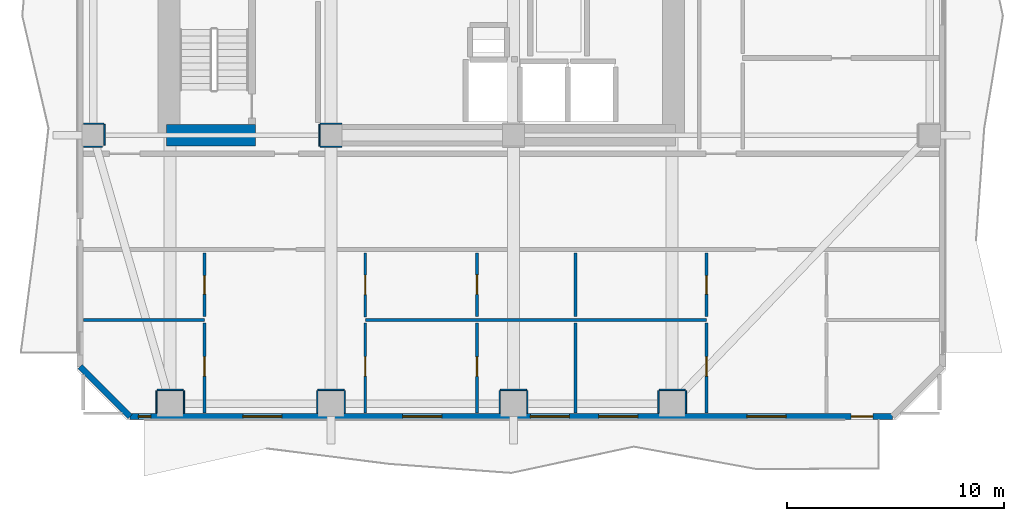
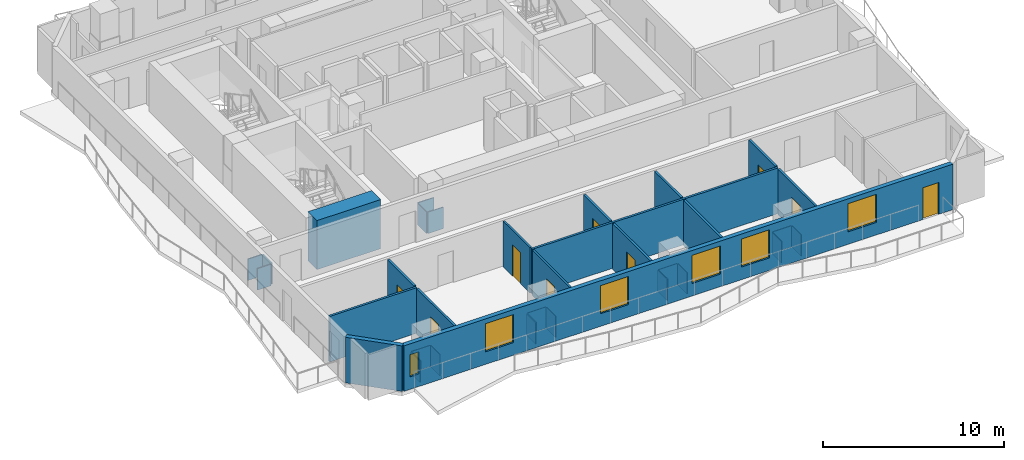
# One storey, part 2 of 9: 33 walls, 9 doors, 6 windows, 15 openings.
"""IFC4 building model written with IfcOpenShell, lengths in metres."""

import ifcopenshell
import ifcopenshell.guid

model = None  # the IFC model being written
_history = None  # IfcOwnerHistory: only IFC2X3 demands one
_inside = {}  # id of a spatial element -> (the spatial element, [elements in it])
_under = {}  # id of a project, library or spatial element -> (it, [spatial elements below it])
_declared = {}  # id of a project -> (the project, [libraries it declares])
_typed = {}  # id of a type object -> (the type object, [elements of that type])
_made_of = {}  # id of a material, layer set ... -> (it, [elements and type objects made of it])


def new_model(schema):
    """Start an empty IFC model of exactly this schema.

    Asked for "IFC4X3", IfcOpenShell would pick the latest addendum, in which some entities
    have other attributes; the version numbers below select the first issue.
    IFC2X3 requires an IfcOwnerHistory on every rooted entity: one is made here for all.
    """
    global model, _history
    if schema == "IFC4X3":
        model = ifcopenshell.file(schema_version=(4, 3, 0, 0))
    else:
        model = ifcopenshell.file(schema=schema)
    _inside.clear()
    _under.clear()
    _declared.clear()
    _typed.clear()
    _made_of.clear()
    _history = None
    if model.schema == "IFC2X3":
        org = make("IfcOrganization", Name="unknown")
        user = make(
            "IfcPersonAndOrganization",
            ThePerson=make("IfcPerson", FamilyName="unknown"),
            TheOrganization=org,
        )
        app = make(
            "IfcApplication",
            ApplicationDeveloper=org,
            Version="unknown",
            ApplicationFullName="unknown",
            ApplicationIdentifier="unknown",
        )
        _history = make(
            "IfcOwnerHistory",
            OwningUser=user,
            OwningApplication=app,
            ChangeAction="ADDED",
            CreationDate=0,
        )
    return model


def make(cls, **values):
    """One entity of the class cls with the attributes given. An attribute that is None is left unset."""
    return model.create_entity(
        cls, **{name: value for name, value in values.items() if value is not None}
    )


def rooted(cls, **values):
    """An entity with a GlobalId (a new one), such as an element, a storey or a relation."""
    return make(cls, GlobalId=ifcopenshell.guid.new(), OwnerHistory=_history, **values)


def si_unit(unit_type, name, prefix=None):
    """IfcSIUnit, for example si_unit("LENGTHUNIT", "METRE", prefix="MILLI")."""
    return make("IfcSIUnit", UnitType=unit_type, Prefix=prefix, Name=name)


def assignment(units):
    """IfcUnitAssignment: the units of a project."""
    return None if units is None else make("IfcUnitAssignment", Units=units)


def point(xyz):
    """IfcCartesianPoint."""
    return None if xyz is None else make("IfcCartesianPoint", Coordinates=xyz)


def direction(xyz):
    """IfcDirection."""
    return None if xyz is None else make("IfcDirection", DirectionRatios=xyz)


def frame(location, z_axis=None, x_axis=None):
    """IfcAxis2Placement3D, a coordinate frame: its origin and axes. An axis left out is left unset."""
    return make(
        "IfcAxis2Placement3D",
        Location=point(location),
        Axis=direction(z_axis),
        RefDirection=direction(x_axis),
    )


def frame_2d(location, x_axis=None):
    """IfcAxis2Placement2D, a coordinate frame in the plane: its origin and x axis."""
    return make(
        "IfcAxis2Placement2D", Location=point(location), RefDirection=direction(x_axis)
    )


def origin():
    """The frame at (0, 0, 0) with its axes left unset."""
    return frame((0.0, 0.0, 0.0))


def place(relative_to, where):
    """IfcLocalPlacement: puts the frame where relative to a parent placement (None: the world)."""
    return make(
        "IfcLocalPlacement", PlacementRelTo=relative_to, RelativePlacement=where
    )


def context(
    kind, dimensions, precision=None, world=None, true_north=None, identifier=None
):
    """IfcGeometricRepresentationContext, for example the 3D "Model" context."""
    return make(
        "IfcGeometricRepresentationContext",
        ContextIdentifier=identifier,
        ContextType=kind,
        CoordinateSpaceDimension=dimensions,
        Precision=precision,
        WorldCoordinateSystem=world,
        TrueNorth=true_north,
    )


def subcontext(parent, identifier, kind, view, scale=None):
    """IfcGeometricRepresentationSubContext, for example "Body" below "Model"."""
    return make(
        "IfcGeometricRepresentationSubContext",
        ContextIdentifier=identifier,
        ContextType=kind,
        ParentContext=parent,
        TargetScale=scale,
        TargetView=view,
    )


def project(units=None, contexts=None):
    """IfcProject with its units and contexts."""
    return rooted(
        "IfcProject",
        Name="project",
        RepresentationContexts=contexts,
        UnitsInContext=assignment(units),
    )


def spatial(cls, under=None, at=None, **own):
    """A site, building, storey or space (cls), placed at a placement, below another one or the project."""
    s = rooted(cls, ObjectPlacement=at, **own)
    if under is not None:
        _under.setdefault(under.id(), (under, []))[1].append(s)
    return s


def profile(cls, at=None, kind="AREA", **sizes):
    """A parametric profile (cls). Its sizes go by their IFC names, for example OverallWidth=200.0."""
    return make(cls, ProfileType=kind, Position=at, **sizes)


def rectangle(**sizes):
    """IfcRectangleProfileDef."""
    return profile("IfcRectangleProfileDef", **sizes)


def extrude(swept, where, along, depth):
    """IfcExtrudedAreaSolid: the profile swept, set in the frame where, extruded along a direction by depth."""
    return make(
        "IfcExtrudedAreaSolid",
        SweptArea=swept,
        Position=where,
        ExtrudedDirection=direction(along),
        Depth=depth,
    )


def shape(context_of_items, identifier, shape_type, items):
    """IfcShapeRepresentation: the items that make up one representation, for example the "Body"."""
    return make(
        "IfcShapeRepresentation",
        ContextOfItems=context_of_items,
        RepresentationIdentifier=identifier,
        RepresentationType=shape_type,
        Items=items,
    )


def material(Name=None, Category=None):
    """IfcMaterial."""
    return make("IfcMaterial", Name=Name, Category=Category)


def layer(
    of_material, thickness, ventilated=None, Name=None, Category=None, Priority=None
):
    """IfcMaterialLayer: one layer of a wall or slab, of a material (None: an air gap)."""
    return make(
        "IfcMaterialLayer",
        Material=of_material,
        LayerThickness=thickness,
        IsVentilated=ventilated,
        Name=Name,
        Category=Category,
        Priority=Priority,
    )


def layer_set(layers, Name=None):
    """IfcMaterialLayerSet."""
    return make("IfcMaterialLayerSet", MaterialLayers=layers, LayerSetName=Name)


def made_of(thing, what):
    """Note that an element or type object is made of a material, layer set ...; save() writes the relation."""
    if what is not None:
        _made_of.setdefault(what.id(), (what, []))[1].append(thing)
    return thing


def type_object(cls, material=None, **own):
    """A type object (cls), such as IfcWallType, which elements share."""
    return made_of(rooted(cls, **own), material)


def element(
    cls,
    number,
    at=None,
    inside=None,
    cuts=None,
    type_object=None,
    material=None,
    context=None,
    identifier="Body",
    shape_type=None,
    held_by="IfcProductDefinitionShape",
    body=None,
    shapes=None,
    **own,
):
    """One element of the class cls, such as IfcWall. Its Tag is "e" and its number.

    at: its placement. inside: the storey or other place that contains it. cuts: it is an
    opening in that element (IfcRelVoidsElement). A single representation is given by context,
    identifier, shape_type and body (its items); several are given by shapes. held_by: the class
    of the entity that holds the representations. save() writes the other relations.
    """
    e = rooted(cls, Tag="e%d" % number, ObjectPlacement=at, **own)
    if body is not None:
        shapes = [shape(context, identifier, shape_type, body)]
    if shapes is not None:
        e.Representation = make(held_by, Representations=shapes)
    if inside is not None:
        _inside.setdefault(inside.id(), (inside, []))[1].append(e)
    if cuts is not None:
        rooted(
            "IfcRelVoidsElement", RelatingBuildingElement=cuts, RelatedOpeningElement=e
        )
    if type_object is not None:
        _typed.setdefault(type_object.id(), (type_object, []))[1].append(e)
    return made_of(e, material)


def fill(opening, filler):
    """IfcRelFillsElement: the door or window that sits in an opening."""
    return rooted(
        "IfcRelFillsElement",
        RelatingOpeningElement=opening,
        RelatedBuildingElement=filler,
    )


def aggregate(whole, parts):
    """IfcRelAggregates: a whole, such as a stair, and the parts it consists of."""
    return rooted("IfcRelAggregates", RelatingObject=whole, RelatedObjects=parts)


def save(model, path):
    """Write the relations noted so far, then the file.

    IfcRelAggregates (storeys below a building ...), IfcRelContainedInSpatialStructure (elements
    in a storey), IfcRelDefinesByType, IfcRelAssociatesMaterial and IfcRelDeclares: one each for
    every whole, place, type object, material and project.
    """
    for whole, parts in _under.values():
        aggregate(whole, parts)
    for where, things in _inside.values():
        rooted(
            "IfcRelContainedInSpatialStructure",
            RelatedElements=things,
            RelatingStructure=where,
        )
    for kind, things in _typed.values():
        rooted("IfcRelDefinesByType", RelatedObjects=things, RelatingType=kind)
    for what, things in _made_of.values():
        rooted("IfcRelAssociatesMaterial", RelatedObjects=things, RelatingMaterial=what)
    for by, libraries in _declared.values():
        rooted("IfcRelDeclares", RelatingContext=by, RelatedDefinitions=libraries)
    model.write(path)


model = new_model("IFC4")

# Units and contexts
model_context = context("Model", 3, precision=1e-05, world=origin(), true_north=direction((0.0, 1.0)))
body_context = subcontext(model_context, "Body", "Model", "MODEL_VIEW")
ifc_project = project(units=[si_unit("LENGTHUNIT", "METRE"), si_unit("AREAUNIT", "SQUARE_METRE"), si_unit("VOLUMEUNIT", "CUBIC_METRE"), si_unit("PLANEANGLEUNIT", "RADIAN"), si_unit("MASSUNIT", "GRAM", prefix="KILO")], contexts=[model_context])

# Site, building, storey
site_placement = place(None, origin())
site = spatial("IfcSite", under=ifc_project, at=site_placement, CompositionType="ELEMENT")
building_placement = place(site_placement, origin())
building = spatial("IfcBuilding", under=site, at=building_placement, Name="Solanera Arch Residences", CompositionType="ELEMENT")
storey_placement = place(building_placement, frame((0.0, 0.0, 129.320068359375)))
storey = spatial("IfcBuildingStorey", under=building, at=storey_placement, Name="L37", CompositionType="ELEMENT", Elevation=129.320068359375)

# Walls
ifc_material_1 = material(Name="Fire-Rated Gypsum Stud Partition", Category="gypsum")
ifc_layer_1 = layer(ifc_material_1, 0.06005859375)
ifc_layer_set_1 = layer_set([ifc_layer_1], Name="Fire-Rated Gypsum Stud Partition")
wall_type_1 = type_object("IfcWallType", Name="Column Acoustic Furring Wall 60", PredefinedType="PARTITIONING", material=ifc_layer_set_1)
for number, where, z_axis, x_axis, name in (
    (1, (20.300048828125, 21.468017578125, 0.0), (0.0, 0.0, 1.0), (1.0, 0.0, 0.0), "L37 Column Furring 1S"),
    (2, (20.300048828125, 22.531982421875, 0.0), (0.0, 0.0, 1.0), (1.0, 0.0, 0.0), "L37 Column Furring 1N"),
    (3, (20.26806640625, 21.5, 0.0), (0.0, 0.0, 1.0), (0.0, 1.0, 0.0), "L37 Column Furring 1W"),
):
    element("IfcWall", number, at=place(storey_placement, frame(where, z_axis=z_axis, x_axis=x_axis)), inside=storey, type_object=wall_type_1, Name=name, PredefinedType="PARTITIONING", context=body_context, shape_type="SweptSolid", body=[
        extrude(rectangle(XDim=1.0, YDim=0.06005859375, at=frame_2d((0.5, 0.0))), origin(), (0.0, 0.0, 1.0), 1.449951171875),
    ])
wall_1_placement = place(storey_placement, frame((12.800048828125, 10.281982421875, 0.0), z_axis=(0.0, 0.0, 1.0), x_axis=(1.0, 0.0, 0.0)))
element("IfcWall", 4, at=wall_1_placement, inside=storey, type_object=wall_type_1, Name="L37 Column Furring 9N", PredefinedType="PARTITIONING", context=body_context, shape_type="SweptSolid", body=[
    extrude(rectangle(XDim=1.199951171875, YDim=0.06005859375, at=frame_2d((0.60009765625, 0.0))), origin(), (0.0, 0.0, 1.0), 1.449951171875),
])
for number, where, z_axis, x_axis, name in (
    (5, (12.76806640625, 9.2099609375, 0.0), (0.0, 0.0, 1.0), (0.0, 1.0, 0.0), "L37 Column Furring 9W"),
    (6, (14.031982421875, 9.2099609375, 0.0), (0.0, 0.0, 1.0), (0.0, 1.0, 0.0), "L37 Column Furring 9E"),
):
    element("IfcWall", number, at=place(storey_placement, frame(where, z_axis=z_axis, x_axis=x_axis)), inside=storey, type_object=wall_type_1, Name=name, PredefinedType="PARTITIONING", context=body_context, shape_type="SweptSolid", body=[
        extrude(rectangle(XDim=1.0400390625, YDim=0.06005859375, at=frame_2d((0.52001953125, 0.0))), origin(), (0.0, 0.0, 1.0), 1.449951171875),
    ])
wall_2_placement = place(storey_placement, frame((20.199951171875, 10.281982421875, 0.0), z_axis=(0.0, 0.0, 1.0), x_axis=(1.0, 0.0, 0.0)))
element("IfcWall", 7, at=wall_2_placement, inside=storey, type_object=wall_type_1, Name="L37 Column Furring 11N", PredefinedType="PARTITIONING", context=body_context, shape_type="SweptSolid", body=[
    extrude(rectangle(XDim=1.199951171875, YDim=0.06005859375, at=frame_2d((0.60009765625, 0.0))), origin(), (0.0, 0.0, 1.0), 1.449951171875),
])
for number, where, z_axis, x_axis, name in (
    (8, (20.16796875, 9.2099609375, 0.0), (0.0, 0.0, 1.0), (0.0, 1.0, 0.0), "L37 Column Furring 11W"),
    (9, (21.431884765625, 9.2099609375, 0.0), (0.0, 0.0, 1.0), (0.0, 1.0, 0.0), "L37 Column Furring 11E"),
):
    element("IfcWall", number, at=place(storey_placement, frame(where, z_axis=z_axis, x_axis=x_axis)), inside=storey, type_object=wall_type_1, Name=name, PredefinedType="PARTITIONING", context=body_context, shape_type="SweptSolid", body=[
        extrude(rectangle(XDim=1.0400390625, YDim=0.06005859375, at=frame_2d((0.52001953125, 0.0))), origin(), (0.0, 0.0, 1.0), 1.449951171875),
    ])
wall_3_placement = place(storey_placement, frame((28.60009765625, 10.281982421875, 0.0), z_axis=(0.0, 0.0, 1.0), x_axis=(1.0, 0.0, 0.0)))
element("IfcWall", 10, at=wall_3_placement, inside=storey, type_object=wall_type_1, Name="L37 Column Furring 13N", PredefinedType="PARTITIONING", context=body_context, shape_type="SweptSolid", body=[
    extrude(rectangle(XDim=1.199951171875, YDim=0.06005859375, at=frame_2d((0.60009765625, 0.0))), origin(), (0.0, 0.0, 1.0), 1.449951171875),
])
for number, where, z_axis, x_axis, name in (
    (11, (28.568115234375, 9.2099609375, 0.0), (0.0, 0.0, 1.0), (0.0, 1.0, 0.0), "L37 Column Furring 13W"),
    (12, (29.83203125, 9.2099609375, 0.0), (0.0, 0.0, 1.0), (0.0, 1.0, 0.0), "L37 Column Furring 13E"),
):
    element("IfcWall", number, at=place(storey_placement, frame(where, z_axis=z_axis, x_axis=x_axis)), inside=storey, type_object=wall_type_1, Name=name, PredefinedType="PARTITIONING", context=body_context, shape_type="SweptSolid", body=[
        extrude(rectangle(XDim=1.0400390625, YDim=0.06005859375, at=frame_2d((0.52001953125, 0.0))), origin(), (0.0, 0.0, 1.0), 1.449951171875),
    ])
wall_4_placement = place(storey_placement, frame((35.89990234375, 10.281982421875, 0.0), z_axis=(0.0, 0.0, 1.0), x_axis=(1.0, 0.0, 0.0)))
element("IfcWall", 13, at=wall_4_placement, inside=storey, type_object=wall_type_1, Name="L37 Column Furring 15N", PredefinedType="PARTITIONING", context=body_context, shape_type="SweptSolid", body=[
    extrude(rectangle(XDim=1.2001953125, YDim=0.06005859375, at=frame_2d((0.60009765625, 0.0))), origin(), (0.0, 0.0, 1.0), 1.449951171875),
])
for number, where, z_axis, x_axis, name in (
    (14, (35.867919921875, 9.2099609375, 0.0), (0.0, 0.0, 1.0), (0.0, 1.0, 0.0), "L37 Column Furring 15W"),
    (15, (37.132080078125, 9.2099609375, 0.0), (0.0, 0.0, 1.0), (0.0, 1.0, 0.0), "L37 Column Furring 15E"),
):
    element("IfcWall", number, at=place(storey_placement, frame(where, z_axis=z_axis, x_axis=x_axis)), inside=storey, type_object=wall_type_1, Name=name, PredefinedType="PARTITIONING", context=body_context, shape_type="SweptSolid", body=[
        extrude(rectangle(XDim=1.0400390625, YDim=0.06005859375, at=frame_2d((0.52001953125, 0.0))), origin(), (0.0, 0.0, 1.0), 1.449951171875),
    ])
wall_5_placement = place(storey_placement, frame((9.409912109375, 21.468017578125, 0.0), z_axis=(0.0, 0.0, 1.0), x_axis=(1.0, 0.0, 0.0)))
element("IfcWall", 16, at=wall_5_placement, inside=storey, type_object=wall_type_1, Name="L37 Column Furring 17S", PredefinedType="PARTITIONING", context=body_context, shape_type="SweptSolid", body=[
    extrude(rectangle(XDim=0.87109375, YDim=0.06005859375, at=frame_2d((0.435546875, 0.0))), origin(), (0.0, 0.0, 1.0), 1.449951171875),
])
wall_6_placement = place(storey_placement, frame((9.409912109375, 22.531982421875, 0.0), z_axis=(0.0, 0.0, 1.0), x_axis=(1.0, 0.0, 0.0)))
element("IfcWall", 17, at=wall_6_placement, inside=storey, type_object=wall_type_1, Name="L37 Column Furring 17N", PredefinedType="PARTITIONING", context=body_context, shape_type="SweptSolid", body=[
    extrude(rectangle(XDim=0.940185546875, YDim=0.06005859375, at=frame_2d((0.47021484375, 0.0))), origin(), (0.0, 0.0, 1.0), 1.449951171875),
])
wall_7_placement = place(storey_placement, frame((10.382080078125, 21.5439453125, 0.0), z_axis=(0.0, 0.0, 1.0), x_axis=(0.0, 1.0, 0.0)))
element("IfcWall", 18, at=wall_7_placement, inside=storey, type_object=wall_type_1, Name="L37 Column Furring 17E", PredefinedType="PARTITIONING", context=body_context, shape_type="SweptSolid", body=[
    extrude(rectangle(XDim=0.9560546875, YDim=0.06005859375, at=frame_2d((0.47802734375, 0.0))), origin(), (0.0, 0.0, 1.0), 1.449951171875),
])
ifc_material_2 = material(Name="Concrete C55/67 (f'c = 60 MPa)", Category="concrete")
ifc_layer_2 = layer(ifc_material_2, 1.0)
ifc_layer_set_2 = layer_set([ifc_layer_2], Name="Concrete C55/67 (f'c = 60 MPa)")
wall_type_2 = type_object("IfcWallType", Name="Core Shear Wall CW-1000", PredefinedType="SHEAR", material=ifc_layer_set_2)
wall_8_placement = place(storey_placement, frame((13.239990234375, 22.0, 0.0), z_axis=(0.0, 0.0, 1.0), x_axis=(1.0, 0.0, 0.0)))
element("IfcWall", 19, at=wall_8_placement, inside=storey, type_object=wall_type_2, Name="L37 South-West Core Shear Wall", PredefinedType="SHEAR", context=body_context, shape_type="SweptSolid", body=[
    extrude(rectangle(XDim=4.080078125, YDim=1.0, at=frame_2d((2.0400390625, 0.0))), origin(), (0.0, 0.0, 1.0), 3.31982421875),
])

# Wall, openings, door, windows
ifc_material_3 = material(Name="Precast Concrete C35/45", Category="concrete")
ifc_layer_3 = layer(ifc_material_3, 0.280029296875)
ifc_layer_set_3 = layer_set([ifc_layer_3], Name="Precast Concrete C35/45")
wall_type_3 = type_object("IfcWallType", Name="Exterior Wall Precast Masonry-Frame 280", PredefinedType="STANDARD", material=ifc_layer_set_3)
wall_9_placement = place(storey_placement, frame((46.64501953125, 9.054931640625, 0.0), z_axis=(0.0, 0.0, 1.0), x_axis=(-1.0, 0.0, 0.0)))
wall_9 = element("IfcWall", 20, at=wall_9_placement, inside=storey, type_object=wall_type_3, Name="L37 Tower Exterior Precast Masonry-Frame Wall S", PredefinedType="STANDARD", context=body_context, shape_type="SweptSolid", body=[
    extrude(rectangle(XDim=35.090087890625, YDim=0.280029296875, at=frame_2d((17.544921875, 0.0))), origin(), (0.0, 0.0, 1.0), 3.079833984375),
])
opening_1_placement = place(wall_9_placement, frame((0.904052734375, 0.0, 0.0)))
opening_1 = element("IfcOpeningElement", 21, at=opening_1_placement, cuts=wall_9, Name="Opening DB-01", PredefinedType="OPENING", context=body_context, shape_type="SweptSolid", body=[
    extrude(rectangle(XDim=1.0, YDim=2.14990234375, at=frame_2d((0.5, 1.074951171875))), frame((0.0, 0.14990234375, 0.0), z_axis=(0.0, -1.0, 0.0), x_axis=(1.0, 0.0, 0.0)), (0.0, 0.0, 1.0), 0.3),
])
opening_2_placement = place(wall_9_placement, frame((28.10498046875, 0.0, 0.85009765625)))
opening_2 = element("IfcOpeningElement", 22, at=opening_2_placement, cuts=wall_9, Name="Opening W-03", PredefinedType="OPENING", context=body_context, shape_type="SweptSolid", body=[
    extrude(rectangle(XDim=1.800048828125, YDim=1.89990234375, at=frame_2d((0.89990234375, 0.949951171875))), frame((0.0, 0.14990234375, 0.0), z_axis=(0.0, -1.0, 0.0), x_axis=(1.0, 0.0, 0.0)), (0.0, 0.0, 1.0), 0.3),
])
opening_3_placement = place(wall_9_placement, frame((34.133056640625, 0.0, 0.85009765625)))
opening_3 = element("IfcOpeningElement", 23, at=opening_3_placement, cuts=wall_9, Name="Opening W-14", PredefinedType="OPENING", context=body_context, shape_type="SweptSolid", body=[
    extrude(rectangle(XDim=0.580078125, YDim=1.5, at=frame_2d((0.2900390625, 0.75))), frame((0.0, 0.14990234375, 0.0), z_axis=(0.0, -1.0, 0.0), x_axis=(1.0, 0.0, 0.0)), (0.0, 0.0, 1.0), 0.3),
])
opening_4_placement = place(wall_9_placement, frame((20.7451171875, 0.0, 0.85009765625)))
opening_4 = element("IfcOpeningElement", 24, at=opening_4_placement, cuts=wall_9, Name="Opening W-03", PredefinedType="OPENING", context=body_context, shape_type="SweptSolid", body=[
    extrude(rectangle(XDim=1.800048828125, YDim=1.89990234375, at=frame_2d((0.89990234375, 0.949951171875))), frame((0.0, 0.14990234375, 0.0), z_axis=(0.0, -1.0, 0.0), x_axis=(1.0, 0.0, 0.0)), (0.0, 0.0, 1.0), 0.3),
])
opening_5_placement = place(wall_9_placement, frame((14.873046875, 0.0, 0.85009765625)))
opening_5 = element("IfcOpeningElement", 25, at=opening_5_placement, cuts=wall_9, Name="Opening W-03", PredefinedType="OPENING", context=body_context, shape_type="SweptSolid", body=[
    extrude(rectangle(XDim=1.800048828125, YDim=1.89990234375, at=frame_2d((0.89990234375, 0.949951171875))), frame((0.0, 0.14990234375, 0.0), z_axis=(0.0, -1.0, 0.0), x_axis=(1.0, 0.0, 0.0)), (0.0, 0.0, 1.0), 0.3),
])
opening_6_placement = place(wall_9_placement, frame((4.902099609375, 0.0, 0.85009765625)))
opening_6 = element("IfcOpeningElement", 26, at=opening_6_placement, cuts=wall_9, Name="Opening W-03", PredefinedType="OPENING", context=body_context, shape_type="SweptSolid", body=[
    extrude(rectangle(XDim=1.800048828125, YDim=1.89990234375, at=frame_2d((0.89990234375, 0.949951171875))), frame((0.0, 0.14990234375, 0.0), z_axis=(0.0, -1.0, 0.0), x_axis=(1.0, 0.0, 0.0)), (0.0, 0.0, 1.0), 0.3),
])
opening_7_placement = place(wall_9_placement, frame((11.722900390625, 0.0, 0.85009765625)))
opening_7 = element("IfcOpeningElement", 27, at=opening_7_placement, cuts=wall_9, Name="Opening W-03", PredefinedType="OPENING", context=body_context, shape_type="SweptSolid", body=[
    extrude(rectangle(XDim=1.800048828125, YDim=1.89990234375, at=frame_2d((0.89990234375, 0.949951171875))), frame((0.0, 0.14990234375, 0.0), z_axis=(0.0, -1.0, 0.0), x_axis=(1.0, 0.0, 0.0)), (0.0, 0.0, 1.0), 0.3),
])
ifc_material_4 = material(Name="Anodised Aluminium Alloy 6063-T6", Category="aluminium")
door_type_1 = type_object("IfcDoorType", Name="Glazed Balcony Swing Door DB-01", OperationType="NOTDEFINED", PredefinedType="DOOR", material=ifc_material_4)
door_1_placement = place(opening_1_placement, origin())
door_1 = element("IfcDoor", 28, at=door_1_placement, inside=storey, type_object=door_type_1, Name="DR-L37-OUT-01", OperationType="SINGLE_SWING_LEFT", OverallHeight=2.14990234375, OverallWidth=1.0, PredefinedType="DOOR", context=body_context, shape_type="SweptSolid", body=[
    extrude(rectangle(XDim=1.0, YDim=2.14990234375, at=frame_2d((0.5, 1.074951171875))), frame((0.0, 0.02490234375, 0.0), z_axis=(0.0, -1.0, 0.0), x_axis=(1.0, 0.0, 0.0)), (0.0, 0.0, 1.0), 0.050048828125),
])
fill(opening_1, door_1)
ifc_material_5 = material(Name="Double Glazed Low-E Laminated Glass", Category="glass")
window_type_1 = type_object("IfcWindowType", Name="Punched Window W-03", PartitioningType="DOUBLE_PANEL_VERTICAL", PredefinedType="WINDOW", material=ifc_material_5)
window_1_placement = place(opening_2_placement, origin())
window_1 = element("IfcWindow", 29, at=window_1_placement, inside=storey, type_object=window_type_1, Name="L37 3701-LIV Punched Window", OverallHeight=1.89990234375, OverallWidth=1.800048828125, PartitioningType="SINGLE_PANEL", PredefinedType="WINDOW", context=body_context, shape_type="SweptSolid", body=[
    extrude(rectangle(XDim=1.800048828125, YDim=1.89990234375, at=frame_2d((0.89990234375, 0.949951171875))), frame((0.0, 0.030029296875, 0.0), z_axis=(0.0, -1.0, 0.0), x_axis=(1.0, 0.0, 0.0)), (0.0, 0.0, 1.0), 0.06005859375),
])
fill(opening_2, window_1)
window_2_placement = place(opening_4_placement, origin())
window_2 = element("IfcWindow", 30, at=window_2_placement, inside=storey, type_object=window_type_1, Name="L37 3701-BR2 Punched Window", OverallHeight=1.89990234375, OverallWidth=1.800048828125, PartitioningType="SINGLE_PANEL", PredefinedType="WINDOW", context=body_context, shape_type="SweptSolid", body=[
    extrude(rectangle(XDim=1.800048828125, YDim=1.89990234375, at=frame_2d((0.89990234375, 0.949951171875))), frame((0.0, 0.030029296875, 0.0), z_axis=(0.0, -1.0, 0.0), x_axis=(1.0, 0.0, 0.0)), (0.0, 0.0, 1.0), 0.06005859375),
])
fill(opening_4, window_2)
window_3_placement = place(opening_5_placement, origin())
window_3 = element("IfcWindow", 31, at=window_3_placement, inside=storey, type_object=window_type_1, Name="L37 3701-BR3 Punched Window", OverallHeight=1.89990234375, OverallWidth=1.800048828125, PartitioningType="SINGLE_PANEL", PredefinedType="WINDOW", context=body_context, shape_type="SweptSolid", body=[
    extrude(rectangle(XDim=1.800048828125, YDim=1.89990234375, at=frame_2d((0.89990234375, 0.949951171875))), frame((0.0, 0.030029296875, 0.0), z_axis=(0.0, -1.0, 0.0), x_axis=(1.0, 0.0, 0.0)), (0.0, 0.0, 1.0), 0.06005859375),
])
fill(opening_5, window_3)
window_4_placement = place(opening_6_placement, origin())
window_4 = element("IfcWindow", 32, at=window_4_placement, inside=storey, type_object=window_type_1, Name="L37 3702-LIV Punched Window", OverallHeight=1.89990234375, OverallWidth=1.800048828125, PartitioningType="SINGLE_PANEL", PredefinedType="WINDOW", context=body_context, shape_type="SweptSolid", body=[
    extrude(rectangle(XDim=1.800048828125, YDim=1.89990234375, at=frame_2d((0.89990234375, 0.949951171875))), frame((0.0, 0.030029296875, 0.0), z_axis=(0.0, -1.0, 0.0), x_axis=(1.0, 0.0, 0.0)), (0.0, 0.0, 1.0), 0.06005859375),
])
fill(opening_6, window_4)
window_5_placement = place(opening_7_placement, origin())
window_5 = element("IfcWindow", 33, at=window_5_placement, inside=storey, type_object=window_type_1, Name="L37 3702-BR1 Punched Window", OverallHeight=1.89990234375, OverallWidth=1.800048828125, PartitioningType="SINGLE_PANEL", PredefinedType="WINDOW", context=body_context, shape_type="SweptSolid", body=[
    extrude(rectangle(XDim=1.800048828125, YDim=1.89990234375, at=frame_2d((0.89990234375, 0.949951171875))), frame((0.0, 0.030029296875, 0.0), z_axis=(0.0, -1.0, 0.0), x_axis=(1.0, 0.0, 0.0)), (0.0, 0.0, 1.0), 0.06005859375),
])
fill(opening_7, window_5)
ifc_material_6 = material(Name="Double Glazed Low-E Laminated Glass", Category="glass")
window_type_2 = type_object("IfcWindowType", Name="Punched Window W-14", PartitioningType="SINGLE_PANEL", PredefinedType="WINDOW", material=ifc_material_6)
window_6_placement = place(opening_3_placement, origin())
window_6 = element("IfcWindow", 34, at=window_6_placement, inside=storey, type_object=window_type_2, Name="L37 3701-BR1 Punched Window", OverallHeight=1.5, OverallWidth=0.580078125, PartitioningType="SINGLE_PANEL", PredefinedType="WINDOW", context=body_context, shape_type="SweptSolid", body=[
    extrude(rectangle(XDim=0.580078125, YDim=1.5, at=frame_2d((0.2900390625, 0.75))), frame((0.0, 0.030029296875, 0.0), z_axis=(0.0, -1.0, 0.0), x_axis=(1.0, 0.0, 0.0)), (0.0, 0.0, 1.0), 0.06005859375),
])
fill(opening_3, window_6)

# Wall
wall_10_placement = place(storey_placement, frame((11.554931640625, 9.054931640625, 0.0), z_axis=(0.0, 0.0, 1.0), x_axis=(-0.707106781187, 0.707106781187, 0.0)))
element("IfcWall", 35, at=wall_10_placement, inside=storey, type_object=wall_type_3, Name="L37 Tower Exterior Precast Masonry-Frame Wall CH7", PredefinedType="STANDARD", context=body_context, shape_type="SweptSolid", body=[
    extrude(rectangle(XDim=3.252685546875, YDim=0.280029296875, at=frame_2d((1.62646484375, 0.0))), origin(), (0.0, 0.0, 1.0), 3.079833984375),
])

# Wall, opening, door
ifc_material_7 = material(Name="Fire-Rated Gypsum Stud Partition", Category="gypsum")
ifc_layer_4 = layer(ifc_material_7, 0.1201171875)
ifc_layer_set_4 = layer_set([ifc_layer_4], Name="Fire-Rated Gypsum Stud Partition")
wall_type_4 = type_object("IfcWallType", Name="Unit Drywall Partition 120", PredefinedType="PARTITIONING", material=ifc_layer_set_4)
wall_11_placement = place(storey_placement, frame((22.3798828125, 9.20703125, 0.0), z_axis=(0.0, 0.0, 1.0), x_axis=(0.0, 1.0, 0.0)))
wall_11 = element("IfcWall", 36, at=wall_11_placement, inside=storey, type_object=wall_type_4, Name="L37 Interior Partition V21 1", PredefinedType="PARTITIONING", context=body_context, shape_type="SweptSolid", body=[
    extrude(rectangle(XDim=4.158935546875, YDim=0.1201171875, at=frame_2d((2.07958984375, 0.0))), origin(), (0.0, 0.0, 1.0), 3.079833984375),
])
opening_8_placement = place(wall_11_placement, frame((1.7080078125, 0.0, 0.0)))
opening_8 = element("IfcOpeningElement", 37, at=opening_8_placement, cuts=wall_11, Name="Opening DI-03", PredefinedType="OPENING", context=body_context, shape_type="SweptSolid", body=[
    extrude(rectangle(XDim=0.89990234375, YDim=2.10009765625, at=frame_2d((0.449951171875, 1.050048828125))), frame((0.0, 0.070068359375, 0.0), z_axis=(0.0, -1.0, 0.0), x_axis=(1.0, 0.0, 0.0)), (0.0, 0.0, 1.0), 0.1401),
])
ifc_material_8 = material(Name="Fire-Rated Architectural Hardwood", Category="wood")
door_type_2 = type_object("IfcDoorType", Name="Bedroom Swing Door DI-03", OperationType="NOTDEFINED", PredefinedType="DOOR", material=ifc_material_8)
door_2_placement = place(opening_8_placement, origin())
door_2 = element("IfcDoor", 38, at=door_2_placement, inside=storey, type_object=door_type_2, Name="DR-L37-IN-022", OperationType="SINGLE_SWING_LEFT", OverallHeight=2.10009765625, OverallWidth=0.89990234375, PredefinedType="DOOR", context=body_context, shape_type="SweptSolid", body=[
    extrude(rectangle(XDim=0.89990234375, YDim=2.10009765625, at=frame_2d((0.449951171875, 1.050048828125))), frame((0.0, 0.02490234375, 0.0), z_axis=(0.0, -1.0, 0.0), x_axis=(1.0, 0.0, 0.0)), (0.0, 0.0, 1.0), 0.050048828125),
])
fill(opening_8, door_2)

wall_12_placement = place(storey_placement, frame((22.3798828125, 13.64208984375, 0.0), z_axis=(0.0, 0.0, 1.0), x_axis=(0.0, 1.0, 0.0)))
wall_12 = element("IfcWall", 39, at=wall_12_placement, inside=storey, type_object=wall_type_4, Name="L37 Interior Partition V21 2", PredefinedType="PARTITIONING", context=body_context, shape_type="SweptSolid", body=[
    extrude(rectangle(XDim=2.949951171875, YDim=0.1201171875, at=frame_2d((1.47509765625, 0.0))), origin(), (0.0, 0.0, 1.0), 3.079833984375),
])
opening_9_placement = place(wall_12_placement, frame((1.02197265625, 0.0, 0.0)))
opening_9 = element("IfcOpeningElement", 40, at=opening_9_placement, cuts=wall_12, Name="Opening DI-02", PredefinedType="OPENING", context=body_context, shape_type="SweptSolid", body=[
    extrude(rectangle(XDim=0.89990234375, YDim=2.10009765625, at=frame_2d((0.449951171875, 1.050048828125))), frame((0.0, 0.070068359375, 0.0), z_axis=(0.0, -1.0, 0.0), x_axis=(1.0, 0.0, 0.0)), (0.0, 0.0, 1.0), 0.1401),
])
ifc_material_9 = material(Name="Fire-Rated Architectural Hardwood", Category="wood")
door_type_3 = type_object("IfcDoorType", Name="Suite Room Swing Door DI-02", OperationType="NOTDEFINED", PredefinedType="DOOR", material=ifc_material_9)
door_3_placement = place(opening_9_placement, origin())
door_3 = element("IfcDoor", 41, at=door_3_placement, inside=storey, type_object=door_type_3, Name="DR-L37-IN-020", OperationType="SINGLE_SWING_LEFT", OverallHeight=2.10009765625, OverallWidth=0.89990234375, PredefinedType="DOOR", context=body_context, shape_type="SweptSolid", body=[
    extrude(rectangle(XDim=0.89990234375, YDim=2.10009765625, at=frame_2d((0.449951171875, 1.050048828125))), frame((0.0, 0.02490234375, 0.0), z_axis=(0.0, -1.0, 0.0), x_axis=(1.0, 0.0, 0.0)), (0.0, 0.0, 1.0), 0.050048828125),
])
fill(opening_9, door_3)

# Walls
ifc_material_10 = material(Name="Autoclaved Aerated Concrete Blockwork", Category="masonry")
ifc_layer_5 = layer(ifc_material_10, 0.139892578125)
ifc_layer_set_5 = layer_set([ifc_layer_5], Name="Autoclaved Aerated Concrete Blockwork")
wall_type_5 = type_object("IfcWallType", Name="Wet-Room Partition 140", PredefinedType="PARTITIONING", material=ifc_layer_set_5)
wall_13_placement = place(storey_placement, frame((9.406982421875, 13.50390625, 0.0), z_axis=(0.0, 0.0, 1.0), x_axis=(1.0, 0.0, 0.0)))
element("IfcWall", 42, at=wall_13_placement, inside=storey, type_object=wall_type_5, Name="L37 Interior Partition H14", PredefinedType="PARTITIONING", context=body_context, shape_type="SweptSolid", body=[
    extrude(rectangle(XDim=5.572998046875, YDim=0.139892578125, at=frame_2d((2.78662109375, 0.0))), origin(), (0.0, 0.0, 1.0), 3.079833984375),
])
wall_14_placement = place(storey_placement, frame((22.3798828125, 13.50390625, 0.0), z_axis=(0.0, 0.0, 1.0), x_axis=(1.0, 0.0, 0.0)))
element("IfcWall", 43, at=wall_14_placement, inside=storey, type_object=wall_type_5, Name="L37 Interior Partition H15", PredefinedType="PARTITIONING", context=body_context, shape_type="SweptSolid", body=[
    extrude(rectangle(XDim=15.7001953125, YDim=0.139892578125, at=frame_2d((7.85009765625, 0.0))), origin(), (0.0, 0.0, 1.0), 3.079833984375),
])

# Wall, opening, door
wall_15_placement = place(storey_placement, frame((14.97998046875, 9.20703125, 0.0), z_axis=(0.0, 0.0, 1.0), x_axis=(0.0, 1.0, 0.0)))
wall_15 = element("IfcWall", 44, at=wall_15_placement, inside=storey, type_object=wall_type_5, Name="L37 Interior Partition V14 1", PredefinedType="PARTITIONING", context=body_context, shape_type="SweptSolid", body=[
    extrude(rectangle(XDim=4.14892578125, YDim=0.139892578125, at=frame_2d((2.074462890625, 0.0))), origin(), (0.0, 0.0, 1.0), 3.079833984375),
])
opening_10_placement = place(wall_15_placement, frame((1.7080078125, 0.0, 0.0)))
opening_10 = element("IfcOpeningElement", 45, at=opening_10_placement, cuts=wall_15, Name="Opening DI-03", PredefinedType="OPENING", context=body_context, shape_type="SweptSolid", body=[
    extrude(rectangle(XDim=0.89990234375, YDim=2.10009765625, at=frame_2d((0.449951171875, 1.050048828125))), frame((0.0, 0.079833984375, 0.0), z_axis=(0.0, -1.0, 0.0), x_axis=(1.0, 0.0, 0.0)), (0.0, 0.0, 1.0), 0.1599),
])
door_4_placement = place(opening_10_placement, origin())
door_4 = element("IfcDoor", 46, at=door_4_placement, inside=storey, type_object=door_type_2, Name="DR-L37-IN-019", OperationType="SINGLE_SWING_RIGHT", OverallHeight=2.10009765625, OverallWidth=0.89990234375, PredefinedType="DOOR", context=body_context, shape_type="SweptSolid", body=[
    extrude(rectangle(XDim=0.89990234375, YDim=2.10009765625, at=frame_2d((0.449951171875, 1.050048828125))), frame((0.0, 0.02490234375, 0.0), z_axis=(0.0, -1.0, 0.0), x_axis=(1.0, 0.0, 0.0)), (0.0, 0.0, 1.0), 0.050048828125),
])
fill(opening_10, door_4)

wall_16_placement = place(storey_placement, frame((14.97998046875, 13.652099609375, 0.0), z_axis=(0.0, 0.0, 1.0), x_axis=(0.0, 1.0, 0.0)))
wall_16 = element("IfcWall", 47, at=wall_16_placement, inside=storey, type_object=wall_type_5, Name="L37 Interior Partition V14 2", PredefinedType="PARTITIONING", context=body_context, shape_type="SweptSolid", body=[
    extrude(rectangle(XDim=2.929931640625, YDim=0.139892578125, at=frame_2d((1.46484375, 0.0))), origin(), (0.0, 0.0, 1.0), 3.079833984375),
])
opening_11_placement = place(wall_16_placement, frame((1.031982421875, 0.0, 0.0)))
opening_11 = element("IfcOpeningElement", 48, at=opening_11_placement, cuts=wall_16, Name="Opening DI-05", PredefinedType="OPENING", context=body_context, shape_type="SweptSolid", body=[
    extrude(rectangle(XDim=0.860107421875, YDim=2.02001953125, at=frame_2d((0.43017578125, 1.010009765625))), frame((0.0, 0.079833984375, 0.0), z_axis=(0.0, -1.0, 0.0), x_axis=(1.0, 0.0, 0.0)), (0.0, 0.0, 1.0), 0.1599),
])
ifc_material_11 = material(Name="Fire-Rated Architectural Hardwood", Category="wood")
door_type_4 = type_object("IfcDoorType", Name="Bathroom Swing Door DI-05", OperationType="NOTDEFINED", PredefinedType="DOOR", material=ifc_material_11)
door_5_placement = place(opening_11_placement, origin())
door_5 = element("IfcDoor", 49, at=door_5_placement, inside=storey, type_object=door_type_4, Name="DR-L37-IN-018", OperationType="SINGLE_SWING_LEFT", OverallHeight=2.02001953125, OverallWidth=0.860107421875, PredefinedType="DOOR", context=body_context, shape_type="SweptSolid", body=[
    extrude(rectangle(XDim=0.860107421875, YDim=2.02001953125, at=frame_2d((0.43017578125, 1.010009765625))), frame((0.0, 0.02490234375, 0.0), z_axis=(0.0, -1.0, 0.0), x_axis=(1.0, 0.0, 0.0)), (0.0, 0.0, 1.0), 0.050048828125),
])
fill(opening_11, door_5)

wall_17_placement = place(storey_placement, frame((27.52001953125, 9.20703125, 0.0), z_axis=(0.0, 0.0, 1.0), x_axis=(0.0, 1.0, 0.0)))
wall_17 = element("IfcWall", 50, at=wall_17_placement, inside=storey, type_object=wall_type_5, Name="L37 Interior Partition V15 1", PredefinedType="PARTITIONING", context=body_context, shape_type="SweptSolid", body=[
    extrude(rectangle(XDim=4.14892578125, YDim=0.139892578125, at=frame_2d((2.074462890625, 0.0))), origin(), (0.0, 0.0, 1.0), 3.079833984375),
])
opening_12_placement = place(wall_17_placement, frame((1.695068359375, 0.0, 0.0)))
opening_12 = element("IfcOpeningElement", 51, at=opening_12_placement, cuts=wall_17, Name="Opening DI-03", PredefinedType="OPENING", context=body_context, shape_type="SweptSolid", body=[
    extrude(rectangle(XDim=0.89990234375, YDim=2.10009765625, at=frame_2d((0.449951171875, 1.050048828125))), frame((0.0, 0.079833984375, 0.0), z_axis=(0.0, -1.0, 0.0), x_axis=(1.0, 0.0, 0.0)), (0.0, 0.0, 1.0), 0.1599),
])
door_6_placement = place(opening_12_placement, origin())
door_6 = element("IfcDoor", 52, at=door_6_placement, inside=storey, type_object=door_type_2, Name="DR-L37-IN-023", OperationType="SINGLE_SWING_RIGHT", OverallHeight=2.10009765625, OverallWidth=0.89990234375, PredefinedType="DOOR", context=body_context, shape_type="SweptSolid", body=[
    extrude(rectangle(XDim=0.89990234375, YDim=2.10009765625, at=frame_2d((0.449951171875, 1.050048828125))), frame((0.0, 0.02490234375, 0.0), z_axis=(0.0, -1.0, 0.0), x_axis=(1.0, 0.0, 0.0)), (0.0, 0.0, 1.0), 0.050048828125),
])
fill(opening_12, door_6)

wall_18_placement = place(storey_placement, frame((27.52001953125, 13.652099609375, 0.0), z_axis=(0.0, 0.0, 1.0), x_axis=(0.0, 1.0, 0.0)))
wall_18 = element("IfcWall", 53, at=wall_18_placement, inside=storey, type_object=wall_type_5, Name="L37 Interior Partition V15 2", PredefinedType="PARTITIONING", context=body_context, shape_type="SweptSolid", body=[
    extrude(rectangle(XDim=2.929931640625, YDim=0.139892578125, at=frame_2d((1.46484375, 0.0))), origin(), (0.0, 0.0, 1.0), 3.079833984375),
])
opening_13_placement = place(wall_18_placement, frame((1.02490234375, 0.0, 0.0)))
opening_13 = element("IfcOpeningElement", 54, at=opening_13_placement, cuts=wall_18, Name="Opening DI-02", PredefinedType="OPENING", context=body_context, shape_type="SweptSolid", body=[
    extrude(rectangle(XDim=0.89990234375, YDim=2.10009765625, at=frame_2d((0.449951171875, 1.050048828125))), frame((0.0, 0.079833984375, 0.0), z_axis=(0.0, -1.0, 0.0), x_axis=(1.0, 0.0, 0.0)), (0.0, 0.0, 1.0), 0.1599),
])
door_7_placement = place(opening_13_placement, origin())
door_7 = element("IfcDoor", 55, at=door_7_placement, inside=storey, type_object=door_type_3, Name="DR-L37-IN-021", OperationType="SINGLE_SWING_RIGHT", OverallHeight=2.10009765625, OverallWidth=0.89990234375, PredefinedType="DOOR", context=body_context, shape_type="SweptSolid", body=[
    extrude(rectangle(XDim=0.89990234375, YDim=2.10009765625, at=frame_2d((0.449951171875, 1.050048828125))), frame((0.0, 0.02490234375, 0.0), z_axis=(0.0, -1.0, 0.0), x_axis=(1.0, 0.0, 0.0)), (0.0, 0.0, 1.0), 0.050048828125),
])
fill(opening_13, door_7)

# Walls
wall_19_placement = place(storey_placement, frame((32.0439453125, 9.20703125, 0.0), z_axis=(0.0, 0.0, 1.0), x_axis=(0.0, 1.0, 0.0)))
element("IfcWall", 56, at=wall_19_placement, inside=storey, type_object=wall_type_5, Name="L37 Interior Partition V18 1", PredefinedType="PARTITIONING", context=body_context, shape_type="SweptSolid", body=[
    extrude(rectangle(XDim=4.14892578125, YDim=0.139892578125, at=frame_2d((2.074462890625, 0.0))), origin(), (0.0, 0.0, 1.0), 3.079833984375),
])
wall_20_placement = place(storey_placement, frame((32.0439453125, 13.652099609375, 0.0), z_axis=(0.0, 0.0, 1.0), x_axis=(0.0, 1.0, 0.0)))
element("IfcWall", 57, at=wall_20_placement, inside=storey, type_object=wall_type_5, Name="L37 Interior Partition V18 2", PredefinedType="PARTITIONING", context=body_context, shape_type="SweptSolid", body=[
    extrude(rectangle(XDim=2.929931640625, YDim=0.139892578125, at=frame_2d((1.46484375, 0.0))), origin(), (0.0, 0.0, 1.0), 3.079833984375),
])

# Wall, opening, door
wall_21_placement = place(storey_placement, frame((38.080078125, 9.20703125, 0.0), z_axis=(0.0, 0.0, 1.0), x_axis=(0.0, 1.0, 0.0)))
wall_21 = element("IfcWall", 58, at=wall_21_placement, inside=storey, type_object=wall_type_5, Name="L37 Interior Partition V19 1", PredefinedType="PARTITIONING", context=body_context, shape_type="SweptSolid", body=[
    extrude(rectangle(XDim=4.14892578125, YDim=0.139892578125, at=frame_2d((2.074462890625, 0.0))), origin(), (0.0, 0.0, 1.0), 3.079833984375),
])
opening_14_placement = place(wall_21_placement, frame((1.7080078125, 0.0, 0.0)))
opening_14 = element("IfcOpeningElement", 59, at=opening_14_placement, cuts=wall_21, Name="Opening DI-03", PredefinedType="OPENING", context=body_context, shape_type="SweptSolid", body=[
    extrude(rectangle(XDim=0.89990234375, YDim=2.10009765625, at=frame_2d((0.449951171875, 1.050048828125))), frame((0.0, 0.079833984375, 0.0), z_axis=(0.0, -1.0, 0.0), x_axis=(1.0, 0.0, 0.0)), (0.0, 0.0, 1.0), 0.1599),
])
door_8_placement = place(opening_14_placement, origin())
door_8 = element("IfcDoor", 60, at=door_8_placement, inside=storey, type_object=door_type_2, Name="DR-L37-IN-026", OperationType="SINGLE_SWING_LEFT", OverallHeight=2.10009765625, OverallWidth=0.89990234375, PredefinedType="DOOR", context=body_context, shape_type="SweptSolid", body=[
    extrude(rectangle(XDim=0.89990234375, YDim=2.10009765625, at=frame_2d((0.449951171875, 1.050048828125))), frame((0.0, 0.02490234375, 0.0), z_axis=(0.0, -1.0, 0.0), x_axis=(1.0, 0.0, 0.0)), (0.0, 0.0, 1.0), 0.050048828125),
])
fill(opening_14, door_8)

wall_22_placement = place(storey_placement, frame((38.080078125, 13.652099609375, 0.0), z_axis=(0.0, 0.0, 1.0), x_axis=(0.0, 1.0, 0.0)))
wall_22 = element("IfcWall", 61, at=wall_22_placement, inside=storey, type_object=wall_type_5, Name="L37 Interior Partition V19 2", PredefinedType="PARTITIONING", context=body_context, shape_type="SweptSolid", body=[
    extrude(rectangle(XDim=2.929931640625, YDim=0.139892578125, at=frame_2d((1.46484375, 0.0))), origin(), (0.0, 0.0, 1.0), 3.079833984375),
])
opening_15_placement = place(wall_22_placement, frame((1.031982421875, 0.0, 0.0)))
opening_15 = element("IfcOpeningElement", 62, at=opening_15_placement, cuts=wall_22, Name="Opening DI-05", PredefinedType="OPENING", context=body_context, shape_type="SweptSolid", body=[
    extrude(rectangle(XDim=0.860107421875, YDim=2.02001953125, at=frame_2d((0.43017578125, 1.010009765625))), frame((0.0, 0.079833984375, 0.0), z_axis=(0.0, -1.0, 0.0), x_axis=(1.0, 0.0, 0.0)), (0.0, 0.0, 1.0), 0.1599),
])
door_9_placement = place(opening_15_placement, origin())
door_9 = element("IfcDoor", 63, at=door_9_placement, inside=storey, type_object=door_type_4, Name="DR-L37-IN-025", OperationType="SINGLE_SWING_RIGHT", OverallHeight=2.02001953125, OverallWidth=0.860107421875, PredefinedType="DOOR", context=body_context, shape_type="SweptSolid", body=[
    extrude(rectangle(XDim=0.860107421875, YDim=2.02001953125, at=frame_2d((0.43017578125, 1.010009765625))), frame((0.0, 0.02490234375, 0.0), z_axis=(0.0, -1.0, 0.0), x_axis=(1.0, 0.0, 0.0)), (0.0, 0.0, 1.0), 0.050048828125),
])
fill(opening_15, door_9)

save(model, "model.ifc")
